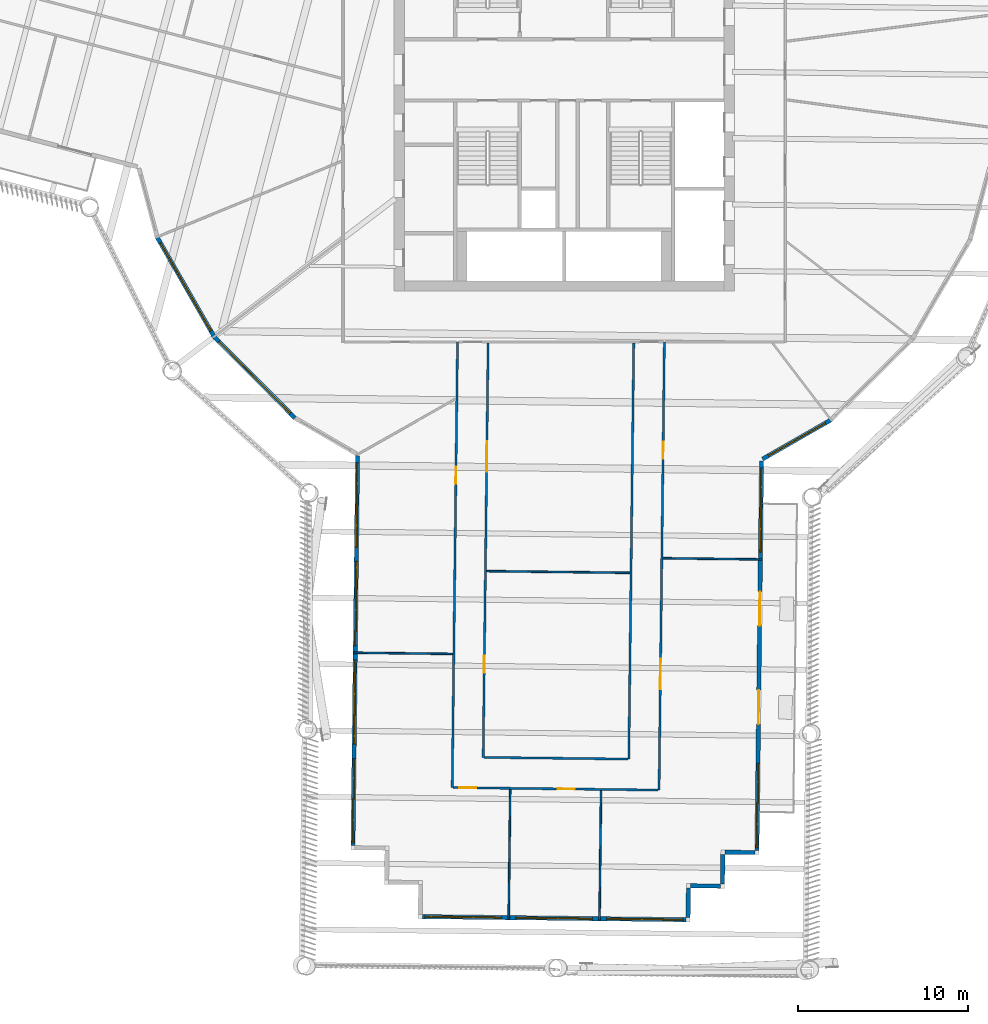
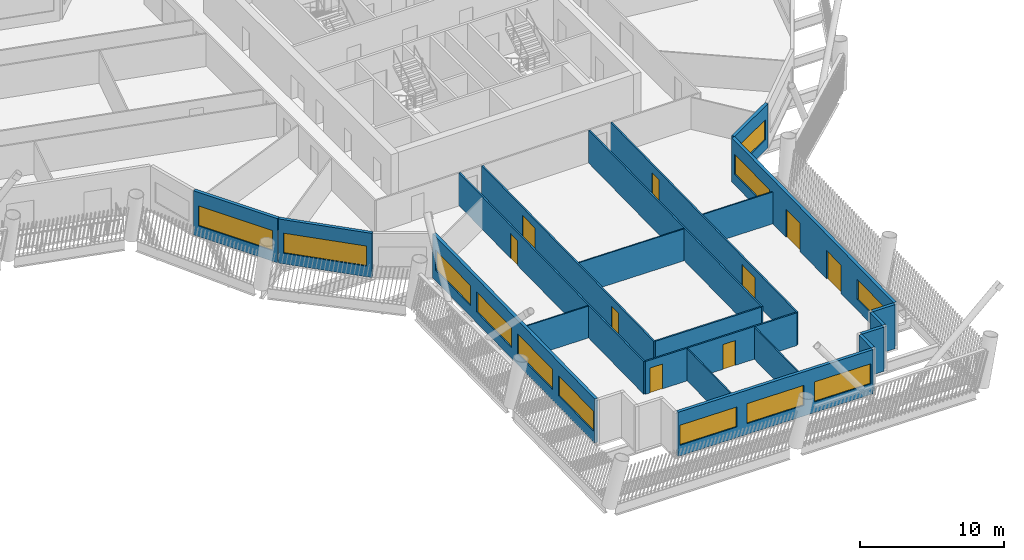
# One storey, part 3 of 21: 21 walls, 12 windows, 9 doors, 21 openings.
"""IFC4 building model written with IfcOpenShell, lengths in metres."""

from ifc_helpers import new_model, si_unit, direction, frame, frame_2d, origin, place, context, subcontext, project, spatial, rectangle, extrude, material, layer, layer_set, type_object, element, fill, save


model = new_model("IFC4")

# Units and contexts
model_context = context("Model", 3, precision=1e-05, world=origin(), true_north=direction((0.0, 1.0)))
body_context = subcontext(model_context, "Body", "Model", "MODEL_VIEW")
ifc_project = project(units=[si_unit("LENGTHUNIT", "METRE"), si_unit("AREAUNIT", "SQUARE_METRE"), si_unit("VOLUMEUNIT", "CUBIC_METRE"), si_unit("PLANEANGLEUNIT", "RADIAN"), si_unit("MASSUNIT", "GRAM", prefix="KILO")], contexts=[model_context])

# Site, building, storey
site_placement = place(None, origin())
site = spatial("IfcSite", under=ifc_project, at=site_placement, CompositionType="ELEMENT")
building_placement = place(site_placement, origin())
building = spatial("IfcBuilding", under=site, at=building_placement, Name="Tarsis Ring Headquarters", CompositionType="ELEMENT")
storey_placement = place(building_placement, frame((0.0, 0.0, 223.800048828125)))
storey = spatial("IfcBuildingStorey", under=building, at=storey_placement, Name="L52", CompositionType="ELEMENT", Elevation=223.800048828125)

# Walls
ifc_material_1 = material(Name="Gypsum board on steel studs", Category="steel")
ifc_layer_1 = layer(ifc_material_1, 0.10009765625)
ifc_layer_set_1 = layer_set([ifc_layer_1], Name="FL partition 100 unrated")
wall_type_1 = type_object("IfcWallType", Name="FL partition 100 unrated", PredefinedType="PARTITIONING", material=ifc_layer_set_1)
wall_1_placement = place(storey_placement, frame((-4.56005859375, -29.468017578125, 0.0), z_axis=(0.0, 0.0, 1.0), x_axis=(0.99992967898, -0.011859051172, 0.0)))
element("IfcWall", 1, at=wall_1_placement, inside=storey, type_object=wall_type_1, Name="Partition PW3", PredefinedType="PARTITIONING", context=body_context, shape_type="SweptSolid", body=[
    extrude(rectangle(XDim=8.419921875, YDim=0.10009765625, at=frame_2d((4.2099609375, 0.0))), origin(), (0.0, 0.0, 1.0), 2.699951171875),
])
wall_2_placement = place(storey_placement, frame((2.076904296875, -49.978271484375, 0.0), z_axis=(0.0, 0.0, 1.0), x_axis=(0.011869932736, 0.999929549867, 0.0)))
element("IfcWall", 2, at=wall_2_placement, inside=storey, type_object=wall_type_1, Name="Partition PW3", PredefinedType="PARTITIONING", context=body_context, shape_type="SweptSolid", body=[
    extrude(rectangle(XDim=7.610107421875, YDim=0.10009765625, at=frame_2d((3.80517578125, 0.0))), origin(), (0.0, 0.0, 1.0), 2.699951171875),
])
wall_3_placement = place(storey_placement, frame((-3.2626953125, -49.914794921875, 0.0), z_axis=(0.0, 0.0, 1.0), x_axis=(0.01187031352, 0.999929545347, 0.0)))
element("IfcWall", 3, at=wall_3_placement, inside=storey, type_object=wall_type_1, Name="Partition PW3", PredefinedType="PARTITIONING", context=body_context, shape_type="SweptSolid", body=[
    extrude(rectangle(XDim=7.60986328125, YDim=0.10009765625, at=frame_2d((3.804931640625, 0.0))), origin(), (0.0, 0.0, 1.0), 2.699951171875),
])
for number, where, z_axis, x_axis, name in (
    (4, (5.809814453125, -28.7109375, 0.0), (0.0, 0.0, 1.0), (0.99992954493, -0.011870348629, 0.0), "Partition PW3"),
    (5, (-12.357421875, -34.265869140625, 0.0), (0.0, 0.0, 1.0), (0.99992954493, -0.011870348629, 0.0), "Partition PW3"),
):
    element("IfcWall", number, at=place(storey_placement, frame(where, z_axis=z_axis, x_axis=x_axis)), inside=storey, type_object=wall_type_1, Name=name, PredefinedType="PARTITIONING", context=body_context, shape_type="SweptSolid", body=[
        extrude(rectangle(XDim=5.800048828125, YDim=0.10009765625, at=frame_2d((2.89990234375, 0.0))), origin(), (0.0, 0.0, 1.0), 2.699951171875),
    ])

# Wall, openings, doors
ifc_layer_2 = layer(ifc_material_1, 0.125)
ifc_layer_set_2 = layer_set([ifc_layer_2], Name="FL partition 125 EI 60 H2770")
wall_type_2 = type_object("IfcWallType", Name="FL partition 125 EI 60 H2770", PredefinedType="PARTITIONING", material=ifc_layer_set_2)
wall_4_placement = place(storey_placement, frame((5.577880859375, -42.339111328125, 0.0), z_axis=(0.0, 0.0, 1.0), x_axis=(0.011863650362, 0.999929624424, 0.0)))
wall_4 = element("IfcWall", 6, at=wall_4_placement, inside=storey, type_object=wall_type_2, Name="Partition PW1", PredefinedType="PARTITIONING", context=body_context, shape_type="SweptSolid", body=[
    extrude(rectangle(XDim=26.341064453125, YDim=0.125, at=frame_2d((13.17041015625, 0.0))), origin(), (0.0, 0.0, 1.0), 2.77001953125),
])
opening_1_placement = place(wall_4_placement, frame((19.4873046875, 0.0, 0.0)))
opening_1 = element("IfcOpeningElement", 7, at=opening_1_placement, cuts=wall_4, Name="Opening D52.11", PredefinedType="OPENING", context=body_context, shape_type="SweptSolid", body=[
    extrude(rectangle(XDim=1.0, YDim=2.10009765625, at=frame_2d((0.5, 1.050048828125))), frame((0.0, 0.072509765625, 0.0), z_axis=(0.0, -1.0, 0.0), x_axis=(1.0, 0.0, 0.0)), (0.0, 0.0, 1.0), 0.14501953125),
])
opening_2_placement = place(wall_4_placement, frame((5.916748046875, 0.0, 0.0)))
opening_2 = element("IfcOpeningElement", 8, at=opening_2_placement, cuts=wall_4, Name="Opening D52.12", PredefinedType="OPENING", context=body_context, shape_type="SweptSolid", body=[
    extrude(rectangle(XDim=1.800048828125, YDim=2.10009765625, at=frame_2d((0.89990234375, 1.050048828125))), frame((0.0, 0.072509765625, 0.0), z_axis=(0.0, -1.0, 0.0), x_axis=(1.0, 0.0, 0.0)), (0.0, 0.0, 1.0), 0.14501953125),
])
ifc_material_2 = material(Name="Fire-rated timber door leaf in steel frame", Category="steel")
door_type_1 = type_object("IfcDoorType", Name="FL door FD60-1000", OperationType="NOTDEFINED", PredefinedType="DOOR", material=ifc_material_2)
door_1_placement = place(opening_1_placement, origin())
door_1 = element("IfcDoor", 9, at=door_1_placement, inside=storey, type_object=door_type_1, Name="Door D52.11", OperationType="SINGLE_SWING_LEFT", OverallHeight=2.10009765625, OverallWidth=1.0, PredefinedType="DOOR", context=body_context, shape_type="SweptSolid", body=[
    extrude(rectangle(XDim=1.0, YDim=2.10009765625, at=frame_2d((0.5, 1.050048828125))), frame((0.0, 0.02490234375, 0.0), z_axis=(0.0, -1.0, 0.0), x_axis=(1.0, 0.0, 0.0)), (0.0, 0.0, 1.0), 0.050048828125),
])
fill(opening_1, door_1)
door_type_2 = type_object("IfcDoorType", Name="FL door FD60-1800", OperationType="DOUBLE_DOOR_SINGLE_SWING", PredefinedType="DOOR", material=ifc_material_2)
door_2_placement = place(opening_2_placement, origin())
door_2 = element("IfcDoor", 10, at=door_2_placement, inside=storey, type_object=door_type_2, Name="Door D52.12", OperationType="DOUBLE_DOOR_SINGLE_SWING", OverallHeight=2.10009765625, OverallWidth=1.800048828125, PredefinedType="DOOR", context=body_context, shape_type="SweptSolid", body=[
    extrude(rectangle(XDim=1.800048828125, YDim=2.10009765625, at=frame_2d((0.89990234375, 1.050048828125))), frame((0.0, 0.02490234375, 0.0), z_axis=(0.0, -1.0, 0.0), x_axis=(1.0, 0.0, 0.0)), (0.0, 0.0, 1.0), 0.050048828125),
])
fill(opening_2, door_2)

# Wall, opening, door
wall_5_placement = place(storey_placement, frame((-6.581298828125, -42.19482421875, 0.0), z_axis=(0.0, 0.0, 1.0), x_axis=(0.011873079566, 0.999929512507, 0.0)))
wall_5 = element("IfcWall", 11, at=wall_5_placement, inside=storey, type_object=wall_type_2, Name="Partition PW1", PredefinedType="PARTITIONING", context=body_context, shape_type="SweptSolid", body=[
    extrude(rectangle(XDim=26.19677734375, YDim=0.125, at=frame_2d((13.098388671875, 0.0))), origin(), (0.0, 0.0, 1.0), 2.77001953125),
])
opening_3_placement = place(wall_5_placement, frame((17.8544921875, 0.0, 0.0)))
opening_3 = element("IfcOpeningElement", 12, at=opening_3_placement, cuts=wall_5, Name="Opening D52.15", PredefinedType="OPENING", context=body_context, shape_type="SweptSolid", body=[
    extrude(rectangle(XDim=1.0, YDim=2.10009765625, at=frame_2d((0.5, 1.050048828125))), frame((0.0, 0.072509765625, 0.0), z_axis=(0.0, -1.0, 0.0), x_axis=(1.0, 0.0, 0.0)), (0.0, 0.0, 1.0), 0.14501953125),
])
door_3_placement = place(opening_3_placement, origin())
door_3 = element("IfcDoor", 13, at=door_3_placement, inside=storey, type_object=door_type_1, Name="Door D52.15", OperationType="SINGLE_SWING_LEFT", OverallHeight=2.10009765625, OverallWidth=1.0, PredefinedType="DOOR", context=body_context, shape_type="SweptSolid", body=[
    extrude(rectangle(XDim=1.0, YDim=2.10009765625, at=frame_2d((0.5, 1.050048828125))), frame((0.0, 0.02490234375, 0.0), z_axis=(0.0, -1.0, 0.0), x_axis=(1.0, 0.0, 0.0)), (0.0, 0.0, 1.0), 0.050048828125),
])
fill(opening_3, door_3)

# Wall
wall_6_placement = place(storey_placement, frame((3.79931640625, -40.517822265625, 0.0), z_axis=(0.0, 0.0, 1.0), x_axis=(0.011872777513, 0.999929516093, 0.0)))
element("IfcWall", 14, at=wall_6_placement, inside=storey, type_object=wall_type_2, Name="Partition PW1", PredefinedType="PARTITIONING", context=body_context, shape_type="SweptSolid", body=[
    extrude(rectangle(XDim=24.449462890625, YDim=0.125, at=frame_2d((12.224609375, 0.0))), origin(), (0.0, 0.0, 1.0), 2.77001953125),
])

# Wall, openings, doors
wall_7_placement = place(storey_placement, frame((-4.760009765625, -40.41650390625, 0.0), z_axis=(0.0, 0.0, 1.0), x_axis=(0.011872051154, 0.999929524717, 0.0)))
wall_7 = element("IfcWall", 15, at=wall_7_placement, inside=storey, type_object=wall_type_2, Name="Partition PW1", PredefinedType="PARTITIONING", context=body_context, shape_type="SweptSolid", body=[
    extrude(rectangle(XDim=24.34814453125, YDim=0.125, at=frame_2d((12.174072265625, 0.0))), origin(), (0.0, 0.0, 1.0), 2.77001953125),
])
opening_4_placement = place(wall_7_placement, frame((16.78515625, 0.0, 0.0)))
opening_4 = element("IfcOpeningElement", 16, at=opening_4_placement, cuts=wall_7, Name="Opening D52.21", PredefinedType="OPENING", context=body_context, shape_type="SweptSolid", body=[
    extrude(rectangle(XDim=1.800048828125, YDim=2.10009765625, at=frame_2d((0.89990234375, 1.050048828125))), frame((0.0, 0.072509765625, 0.0), z_axis=(0.0, -1.0, 0.0), x_axis=(1.0, 0.0, 0.0)), (0.0, 0.0, 1.0), 0.14501953125),
])
opening_5_placement = place(wall_7_placement, frame((4.97607421875, 0.0, 0.0)))
opening_5 = element("IfcOpeningElement", 17, at=opening_5_placement, cuts=wall_7, Name="Opening D52.22", PredefinedType="OPENING", context=body_context, shape_type="SweptSolid", body=[
    extrude(rectangle(XDim=1.0, YDim=2.10009765625, at=frame_2d((0.5, 1.050048828125))), frame((0.0, 0.072509765625, 0.0), z_axis=(0.0, -1.0, 0.0), x_axis=(1.0, 0.0, 0.0)), (0.0, 0.0, 1.0), 0.14501953125),
])
door_4_placement = place(opening_5_placement, origin())
door_4 = element("IfcDoor", 18, at=door_4_placement, inside=storey, type_object=door_type_1, Name="Door D52.22", OperationType="SINGLE_SWING_RIGHT", OverallHeight=2.10009765625, OverallWidth=1.0, PredefinedType="DOOR", context=body_context, shape_type="SweptSolid", body=[
    extrude(rectangle(XDim=1.0, YDim=2.10009765625, at=frame_2d((0.5, 1.050048828125))), frame((0.0, 0.02490234375, 0.0), z_axis=(0.0, -1.0, 0.0), x_axis=(1.0, 0.0, 0.0)), (0.0, 0.0, 1.0), 0.050048828125),
])
fill(opening_5, door_4)
door_5_placement = place(opening_4_placement, origin())
door_5 = element("IfcDoor", 19, at=door_5_placement, inside=storey, type_object=door_type_2, Name="Door D52.21", OperationType="DOUBLE_DOOR_SINGLE_SWING", OverallHeight=2.10009765625, OverallWidth=1.800048828125, PredefinedType="DOOR", context=body_context, shape_type="SweptSolid", body=[
    extrude(rectangle(XDim=1.800048828125, YDim=2.10009765625, at=frame_2d((0.89990234375, 1.050048828125))), frame((0.0, 0.02490234375, 0.0), z_axis=(0.0, -1.0, 0.0), x_axis=(1.0, 0.0, 0.0)), (0.0, 0.0, 1.0), 0.050048828125),
])
fill(opening_4, door_5)

wall_8_placement = place(storey_placement, frame((-6.521240234375, -42.195556640625, 0.0), z_axis=(0.0, 0.0, 1.0), x_axis=(0.999929639217, -0.01186240345, 0.0)))
wall_8 = element("IfcWall", 20, at=wall_8_placement, inside=storey, type_object=wall_type_2, Name="Partition PW1", PredefinedType="PARTITIONING", context=body_context, shape_type="SweptSolid", body=[
    extrude(rectangle(XDim=12.039794921875, YDim=0.125, at=frame_2d((6.02001953125, 0.0))), origin(), (0.0, 0.0, 1.0), 2.77001953125),
])
opening_6_placement = place(wall_8_placement, frame((6.142578125, 0.0, 0.0)))
opening_6 = element("IfcOpeningElement", 21, at=opening_6_placement, cuts=wall_8, Name="Opening D52.13", PredefinedType="OPENING", context=body_context, shape_type="SweptSolid", body=[
    extrude(rectangle(XDim=1.0, YDim=2.10009765625, at=frame_2d((0.5, 1.050048828125))), frame((0.0, 0.072509765625, 0.0), z_axis=(0.0, -1.0, 0.0), x_axis=(1.0, 0.0, 0.0)), (0.0, 0.0, 1.0), 0.14501953125),
])
opening_7_placement = place(wall_8_placement, frame((0.340087890625, 0.0, 0.0)))
opening_7 = element("IfcOpeningElement", 22, at=opening_7_placement, cuts=wall_8, Name="Opening D52.14", PredefinedType="OPENING", context=body_context, shape_type="SweptSolid", body=[
    extrude(rectangle(XDim=1.0, YDim=2.10009765625, at=frame_2d((0.5, 1.050048828125))), frame((0.0, 0.072509765625, 0.0), z_axis=(0.0, -1.0, 0.0), x_axis=(1.0, 0.0, 0.0)), (0.0, 0.0, 1.0), 0.14501953125),
])
door_6_placement = place(opening_6_placement, origin())
door_6 = element("IfcDoor", 23, at=door_6_placement, inside=storey, type_object=door_type_1, Name="Door D52.13", OperationType="SINGLE_SWING_LEFT", OverallHeight=2.10009765625, OverallWidth=1.0, PredefinedType="DOOR", context=body_context, shape_type="SweptSolid", body=[
    extrude(rectangle(XDim=1.0, YDim=2.10009765625, at=frame_2d((0.5, 1.050048828125))), frame((0.0, 0.02490234375, 0.0), z_axis=(0.0, -1.0, 0.0), x_axis=(1.0, 0.0, 0.0)), (0.0, 0.0, 1.0), 0.050048828125),
])
fill(opening_6, door_6)
door_7_placement = place(opening_7_placement, origin())
door_7 = element("IfcDoor", 24, at=door_7_placement, inside=storey, type_object=door_type_1, Name="Door D52.14", OperationType="SINGLE_SWING_RIGHT", OverallHeight=2.10009765625, OverallWidth=1.0, PredefinedType="DOOR", context=body_context, shape_type="SweptSolid", body=[
    extrude(rectangle(XDim=1.0, YDim=2.10009765625, at=frame_2d((0.5, 1.050048828125))), frame((0.0, 0.02490234375, 0.0), z_axis=(0.0, -1.0, 0.0), x_axis=(1.0, 0.0, 0.0)), (0.0, 0.0, 1.0), 0.050048828125),
])
fill(opening_7, door_7)

# Wall
wall_9_placement = place(storey_placement, frame((-4.699951171875, -40.4169921875, 0.0), z_axis=(0.0, 0.0, 1.0), x_axis=(0.999929669551, -0.011859846231, 0.0)))
element("IfcWall", 25, at=wall_9_placement, inside=storey, type_object=wall_type_2, Name="Partition PW1", PredefinedType="PARTITIONING", context=body_context, shape_type="SweptSolid", body=[
    extrude(rectangle(XDim=8.43994140625, YDim=0.125, at=frame_2d((4.219970703125, 0.0))), origin(), (0.0, 0.0, 1.0), 2.77001953125),
])

# Wall, opening, window
ifc_material_3 = material(Name="Terracotta clad insulated panel wall", Category="masonry")
ifc_layer_3 = layer(ifc_material_3, 0.25)
ifc_layer_set_3 = layer_set([ifc_layer_3], Name="Facade wall terracotta panel 250")
wall_type_3 = type_object("IfcWallType", Name="Facade wall terracotta panel 250", PredefinedType="STANDARD", material=ifc_layer_set_3)
wall_10_placement = place(storey_placement, frame((-23.92724609375, -9.840576171875, 0.0), z_axis=(0.0, 0.0, 1.0), x_axis=(0.497284605144, -0.867587471951, 0.0)))
wall_10 = element("IfcWall", 26, at=wall_10_placement, inside=storey, type_object=wall_type_3, Name="External wall L52-03", PredefinedType="STANDARD", context=body_context, shape_type="SweptSolid", body=[
    extrude(rectangle(XDim=6.7216796875, YDim=0.25, at=frame_2d((3.36083984375, 0.0))), origin(), (0.0, 0.0, 1.0), 3.739990234375),
])
opening_8_placement = place(wall_10_placement, frame((0.3857421875, 0.0, 0.89990234375)))
opening_8 = element("IfcOpeningElement", 27, at=opening_8_placement, cuts=wall_10, Name="Opening WN07", PredefinedType="OPENING", context=body_context, shape_type="SweptSolid", body=[
    extrude(rectangle(XDim=5.949951171875, YDim=1.699951171875, at=frame_2d((2.97509765625, 0.85009765625))), frame((0.0, 0.135009765625, 0.0), z_axis=(0.0, -1.0, 0.0), x_axis=(1.0, 0.0, 0.0)), (0.0, 0.0, 1.0), 0.27001953125),
])
ifc_material_4 = material(Name="Aluminium framed double glazing", Category="aluminium")
window_type_1 = type_object("IfcWindowType", Name="Facade window 5950 x 1700", PartitioningType="SINGLE_PANEL", PredefinedType="WINDOW", material=ifc_material_4)
window_1_placement = place(opening_8_placement, origin())
window_1 = element("IfcWindow", 28, at=window_1_placement, inside=storey, type_object=window_type_1, Name="Window L52-03.1", OverallHeight=1.699951171875, OverallWidth=5.949951171875, PartitioningType="SINGLE_PANEL", PredefinedType="WINDOW", context=body_context, shape_type="SweptSolid", body=[
    extrude(rectangle(XDim=5.949951171875, YDim=1.699951171875, at=frame_2d((2.97509765625, 0.85009765625))), frame((0.0, 0.030029296875, 0.0), z_axis=(0.0, -1.0, 0.0), x_axis=(1.0, 0.0, 0.0)), (0.0, 0.0, 1.0), 0.06005859375),
])
fill(opening_8, window_1)

wall_11_placement = place(storey_placement, frame((-20.56494140625, -15.6982421875, 0.0), z_axis=(0.0, 0.0, 1.0), x_axis=(0.704887595847, -0.709319023586, 0.0)))
wall_11 = element("IfcWall", 29, at=wall_11_placement, inside=storey, type_object=wall_type_3, Name="External wall L52-04", PredefinedType="STANDARD", context=body_context, shape_type="SweptSolid", body=[
    extrude(rectangle(XDim=6.721435546875, YDim=0.25, at=frame_2d((3.36083984375, 0.0))), origin(), (0.0, 0.0, 1.0), 3.739990234375),
])
opening_9_placement = place(wall_11_placement, frame((0.3857421875, 0.0, 0.89990234375)))
opening_9 = element("IfcOpeningElement", 30, at=opening_9_placement, cuts=wall_11, Name="Opening WN07", PredefinedType="OPENING", context=body_context, shape_type="SweptSolid", body=[
    extrude(rectangle(XDim=5.949951171875, YDim=1.699951171875, at=frame_2d((2.97509765625, 0.85009765625))), frame((0.0, 0.135009765625, 0.0), z_axis=(0.0, -1.0, 0.0), x_axis=(1.0, 0.0, 0.0)), (0.0, 0.0, 1.0), 0.27001953125),
])
window_2_placement = place(opening_9_placement, origin())
window_2 = element("IfcWindow", 31, at=window_2_placement, inside=storey, type_object=window_type_1, Name="Window L52-04.1", OverallHeight=1.699951171875, OverallWidth=5.949951171875, PartitioningType="SINGLE_PANEL", PredefinedType="WINDOW", context=body_context, shape_type="SweptSolid", body=[
    extrude(rectangle(XDim=5.949951171875, YDim=1.699951171875, at=frame_2d((2.97509765625, 0.85009765625))), frame((0.0, 0.030029296875, 0.0), z_axis=(0.0, -1.0, 0.0), x_axis=(1.0, 0.0, 0.0)), (0.0, 0.0, 1.0), 0.06005859375),
])
fill(opening_9, window_2)

# Wall, openings, windows
wall_12_placement = place(storey_placement, frame((-12.14501953125, -22.685546875, 0.0), z_axis=(0.0, 0.0, 1.0), x_axis=(-0.011875773532, -0.999929480515, 0.0)))
wall_12 = element("IfcWall", 32, at=wall_12_placement, inside=storey, type_object=wall_type_3, Name="External wall L52-06", PredefinedType="STANDARD", context=body_context, shape_type="SweptSolid", body=[
    extrude(rectangle(XDim=22.922119140625, YDim=0.25, at=frame_2d((11.4609375, 0.0))), origin(), (0.0, 0.0, 1.0), 3.739990234375),
])
opening_10_placement = place(wall_12_placement, frame((0.42138671875, 0.0, 0.89990234375)))
opening_10 = element("IfcOpeningElement", 33, at=opening_10_placement, cuts=wall_12, Name="Opening WN05", PredefinedType="OPENING", context=body_context, shape_type="SweptSolid", body=[
    extrude(rectangle(XDim=4.949951171875, YDim=1.699951171875, at=frame_2d((2.47509765625, 0.85009765625))), frame((0.0, 0.135009765625, 0.0), z_axis=(0.0, -1.0, 0.0), x_axis=(1.0, 0.0, 0.0)), (0.0, 0.0, 1.0), 0.27001953125),
])
opening_11_placement = place(wall_12_placement, frame((6.214599609375, 0.0, 0.89990234375)))
opening_11 = element("IfcOpeningElement", 34, at=opening_11_placement, cuts=wall_12, Name="Opening WN05", PredefinedType="OPENING", context=body_context, shape_type="SweptSolid", body=[
    extrude(rectangle(XDim=4.949951171875, YDim=1.699951171875, at=frame_2d((2.47509765625, 0.85009765625))), frame((0.0, 0.135009765625, 0.0), z_axis=(0.0, -1.0, 0.0), x_axis=(1.0, 0.0, 0.0)), (0.0, 0.0, 1.0), 0.27001953125),
])
opening_12_placement = place(wall_12_placement, frame((12.007568359375, 0.0, 0.89990234375)))
opening_12 = element("IfcOpeningElement", 35, at=opening_12_placement, cuts=wall_12, Name="Opening WN05", PredefinedType="OPENING", context=body_context, shape_type="SweptSolid", body=[
    extrude(rectangle(XDim=4.949951171875, YDim=1.699951171875, at=frame_2d((2.47509765625, 0.85009765625))), frame((0.0, 0.135009765625, 0.0), z_axis=(0.0, -1.0, 0.0), x_axis=(1.0, 0.0, 0.0)), (0.0, 0.0, 1.0), 0.27001953125),
])
opening_13_placement = place(wall_12_placement, frame((17.800537109375, 0.0, 0.89990234375)))
opening_13 = element("IfcOpeningElement", 36, at=opening_13_placement, cuts=wall_12, Name="Opening WN05", PredefinedType="OPENING", context=body_context, shape_type="SweptSolid", body=[
    extrude(rectangle(XDim=4.949951171875, YDim=1.699951171875, at=frame_2d((2.47509765625, 0.85009765625))), frame((0.0, 0.135009765625, 0.0), z_axis=(0.0, -1.0, 0.0), x_axis=(1.0, 0.0, 0.0)), (0.0, 0.0, 1.0), 0.27001953125),
])
window_type_2 = type_object("IfcWindowType", Name="Facade window 4950 x 1700", PartitioningType="SINGLE_PANEL", PredefinedType="WINDOW", material=ifc_material_4)
window_3_placement = place(opening_10_placement, origin())
window_3 = element("IfcWindow", 37, at=window_3_placement, inside=storey, type_object=window_type_2, Name="Window L52-06.1", OverallHeight=1.699951171875, OverallWidth=4.949951171875, PartitioningType="SINGLE_PANEL", PredefinedType="WINDOW", context=body_context, shape_type="SweptSolid", body=[
    extrude(rectangle(XDim=4.949951171875, YDim=1.699951171875, at=frame_2d((2.47509765625, 0.85009765625))), frame((0.0, 0.030029296875, 0.0), z_axis=(0.0, -1.0, 0.0), x_axis=(1.0, 0.0, 0.0)), (0.0, 0.0, 1.0), 0.06005859375),
])
fill(opening_10, window_3)
window_4_placement = place(opening_11_placement, origin())
window_4 = element("IfcWindow", 38, at=window_4_placement, inside=storey, type_object=window_type_2, Name="Window L52-06.2", OverallHeight=1.699951171875, OverallWidth=4.949951171875, PartitioningType="SINGLE_PANEL", PredefinedType="WINDOW", context=body_context, shape_type="SweptSolid", body=[
    extrude(rectangle(XDim=4.949951171875, YDim=1.699951171875, at=frame_2d((2.47509765625, 0.85009765625))), frame((0.0, 0.030029296875, 0.0), z_axis=(0.0, -1.0, 0.0), x_axis=(1.0, 0.0, 0.0)), (0.0, 0.0, 1.0), 0.06005859375),
])
fill(opening_11, window_4)
window_5_placement = place(opening_12_placement, origin())
window_5 = element("IfcWindow", 39, at=window_5_placement, inside=storey, type_object=window_type_2, Name="Window L52-06.3", OverallHeight=1.699951171875, OverallWidth=4.949951171875, PartitioningType="SINGLE_PANEL", PredefinedType="WINDOW", context=body_context, shape_type="SweptSolid", body=[
    extrude(rectangle(XDim=4.949951171875, YDim=1.699951171875, at=frame_2d((2.47509765625, 0.85009765625))), frame((0.0, 0.030029296875, 0.0), z_axis=(0.0, -1.0, 0.0), x_axis=(1.0, 0.0, 0.0)), (0.0, 0.0, 1.0), 0.06005859375),
])
fill(opening_12, window_5)
window_6_placement = place(opening_13_placement, origin())
window_6 = element("IfcWindow", 40, at=window_6_placement, inside=storey, type_object=window_type_2, Name="Window L52-06.4", OverallHeight=1.699951171875, OverallWidth=4.949951171875, PartitioningType="SINGLE_PANEL", PredefinedType="WINDOW", context=body_context, shape_type="SweptSolid", body=[
    extrude(rectangle(XDim=4.949951171875, YDim=1.699951171875, at=frame_2d((2.47509765625, 0.85009765625))), frame((0.0, 0.030029296875, 0.0), z_axis=(0.0, -1.0, 0.0), x_axis=(1.0, 0.0, 0.0)), (0.0, 0.0, 1.0), 0.06005859375),
])
fill(opening_13, window_6)

wall_13_placement = place(storey_placement, frame((-8.34130859375, -49.779541015625, 0.0), z_axis=(0.0, 0.0, 1.0), x_axis=(0.999929660505, -0.011860608893, 0.0)))
wall_13 = element("IfcWall", 41, at=wall_13_placement, inside=storey, type_object=wall_type_3, Name="External wall L52-11", PredefinedType="STANDARD", context=body_context, shape_type="SweptSolid", body=[
    extrude(rectangle(XDim=15.499755859375, YDim=0.25, at=frame_2d((7.75, 0.0))), origin(), (0.0, 0.0, 1.0), 3.739990234375),
])
opening_14_placement = place(wall_13_placement, frame((0.166748046875, 0.0, 0.89990234375)))
opening_14 = element("IfcOpeningElement", 42, at=opening_14_placement, cuts=wall_13, Name="Opening WN04", PredefinedType="OPENING", context=body_context, shape_type="SweptSolid", body=[
    extrude(rectangle(XDim=4.5, YDim=1.699951171875, at=frame_2d((2.25, 0.85009765625))), frame((0.0, 0.135009765625, 0.0), z_axis=(0.0, -1.0, 0.0), x_axis=(1.0, 0.0, 0.0)), (0.0, 0.0, 1.0), 0.27001953125),
])
opening_15_placement = place(wall_13_placement, frame((5.5, 0.0, 0.89990234375)))
opening_15 = element("IfcOpeningElement", 43, at=opening_15_placement, cuts=wall_13, Name="Opening WN04", PredefinedType="OPENING", context=body_context, shape_type="SweptSolid", body=[
    extrude(rectangle(XDim=4.5, YDim=1.699951171875, at=frame_2d((2.25, 0.85009765625))), frame((0.0, 0.135009765625, 0.0), z_axis=(0.0, -1.0, 0.0), x_axis=(1.0, 0.0, 0.0)), (0.0, 0.0, 1.0), 0.27001953125),
])
opening_16_placement = place(wall_13_placement, frame((10.833251953125, 0.0, 0.89990234375)))
opening_16 = element("IfcOpeningElement", 44, at=opening_16_placement, cuts=wall_13, Name="Opening WN04", PredefinedType="OPENING", context=body_context, shape_type="SweptSolid", body=[
    extrude(rectangle(XDim=4.5, YDim=1.699951171875, at=frame_2d((2.25, 0.85009765625))), frame((0.0, 0.135009765625, 0.0), z_axis=(0.0, -1.0, 0.0), x_axis=(1.0, 0.0, 0.0)), (0.0, 0.0, 1.0), 0.27001953125),
])
window_type_3 = type_object("IfcWindowType", Name="Facade window 4500 x 1700", PartitioningType="SINGLE_PANEL", PredefinedType="WINDOW", material=ifc_material_4)
window_7_placement = place(opening_14_placement, origin())
window_7 = element("IfcWindow", 45, at=window_7_placement, inside=storey, type_object=window_type_3, Name="Window L52-11.1", OverallHeight=1.699951171875, OverallWidth=4.5, PartitioningType="SINGLE_PANEL", PredefinedType="WINDOW", context=body_context, shape_type="SweptSolid", body=[
    extrude(rectangle(XDim=4.5, YDim=1.699951171875, at=frame_2d((2.25, 0.85009765625))), frame((0.0, 0.030029296875, 0.0), z_axis=(0.0, -1.0, 0.0), x_axis=(1.0, 0.0, 0.0)), (0.0, 0.0, 1.0), 0.06005859375),
])
fill(opening_14, window_7)
window_8_placement = place(opening_15_placement, origin())
window_8 = element("IfcWindow", 46, at=window_8_placement, inside=storey, type_object=window_type_3, Name="Window L52-11.2", OverallHeight=1.699951171875, OverallWidth=4.5, PartitioningType="SINGLE_PANEL", PredefinedType="WINDOW", context=body_context, shape_type="SweptSolid", body=[
    extrude(rectangle(XDim=4.5, YDim=1.699951171875, at=frame_2d((2.25, 0.85009765625))), frame((0.0, 0.030029296875, 0.0), z_axis=(0.0, -1.0, 0.0), x_axis=(1.0, 0.0, 0.0)), (0.0, 0.0, 1.0), 0.06005859375),
])
fill(opening_15, window_8)
window_9_placement = place(opening_16_placement, origin())
window_9 = element("IfcWindow", 47, at=window_9_placement, inside=storey, type_object=window_type_3, Name="Window L52-11.3", OverallHeight=1.699951171875, OverallWidth=4.5, PartitioningType="SINGLE_PANEL", PredefinedType="WINDOW", context=body_context, shape_type="SweptSolid", body=[
    extrude(rectangle(XDim=4.5, YDim=1.699951171875, at=frame_2d((2.25, 0.85009765625))), frame((0.0, 0.030029296875, 0.0), z_axis=(0.0, -1.0, 0.0), x_axis=(1.0, 0.0, 0.0)), (0.0, 0.0, 1.0), 0.06005859375),
])
fill(opening_16, window_9)

# Walls
wall_14_placement = place(storey_placement, frame((7.283935546875, -49.83984375, 0.0), z_axis=(0.0, 0.0, 1.0), x_axis=(0.011859079487, 0.999929678644, 0.0)))
element("IfcWall", 48, at=wall_14_placement, inside=storey, type_object=wall_type_3, Name="External wall L52-12", PredefinedType="STANDARD", context=body_context, shape_type="SweptSolid", body=[
    extrude(rectangle(XDim=1.75, YDim=0.25, at=frame_2d((0.875, 0.0))), origin(), (0.0, 0.0, 1.0), 3.739990234375),
])
wall_15_placement = place(storey_placement, frame((7.43115234375, -47.966552734375, 0.0), z_axis=(0.0, 0.0, 1.0), x_axis=(0.999929698262, -0.011857425272, 0.0)))
element("IfcWall", 49, at=wall_15_placement, inside=storey, type_object=wall_type_3, Name="External wall L52-13", PredefinedType="STANDARD", context=body_context, shape_type="SweptSolid", body=[
    extrude(rectangle(XDim=1.750244140625, YDim=0.25, at=frame_2d((0.875, 0.0))), origin(), (0.0, 0.0, 1.0), 3.739990234375),
])
wall_16_placement = place(storey_placement, frame((9.3076171875, -47.86376953125, 0.0), z_axis=(0.0, 0.0, 1.0), x_axis=(0.011859079487, 0.999929678644, 0.0)))
element("IfcWall", 50, at=wall_16_placement, inside=storey, type_object=wall_type_3, Name="External wall L52-14", PredefinedType="STANDARD", context=body_context, shape_type="SweptSolid", body=[
    extrude(rectangle(XDim=1.75, YDim=0.25, at=frame_2d((0.875, 0.0))), origin(), (0.0, 0.0, 1.0), 3.739990234375),
])
wall_17_placement = place(storey_placement, frame((9.454833984375, -45.990478515625, 0.0), z_axis=(0.0, 0.0, 1.0), x_axis=(0.999929698262, -0.011857425272, 0.0)))
element("IfcWall", 51, at=wall_17_placement, inside=storey, type_object=wall_type_3, Name="External wall L52-15", PredefinedType="STANDARD", context=body_context, shape_type="SweptSolid", body=[
    extrude(rectangle(XDim=1.750244140625, YDim=0.25, at=frame_2d((0.875, 0.0))), origin(), (0.0, 0.0, 1.0), 3.739990234375),
])

# Wall, openings, doors, windows
wall_18_placement = place(storey_placement, frame((11.331298828125, -45.8876953125, 0.0), z_axis=(0.0, 0.0, 1.0), x_axis=(0.011865215852, 0.999929605849, 0.0)))
wall_18 = element("IfcWall", 52, at=wall_18_placement, inside=storey, type_object=wall_type_3, Name="External wall L52-16", PredefinedType="STANDARD", context=body_context, shape_type="SweptSolid", body=[
    extrude(rectangle(XDim=22.9013671875, YDim=0.25, at=frame_2d((11.45068359375, 0.0))), origin(), (0.0, 0.0, 1.0), 3.739990234375),
])
opening_17_placement = place(wall_18_placement, frame((0.1689453125, 0.0, 0.89990234375)))
opening_17 = element("IfcOpeningElement", 53, at=opening_17_placement, cuts=wall_18, Name="Opening WN05", PredefinedType="OPENING", context=body_context, shape_type="SweptSolid", body=[
    extrude(rectangle(XDim=4.949951171875, YDim=1.699951171875, at=frame_2d((2.47509765625, 0.85009765625))), frame((0.0, 0.135009765625, 0.0), z_axis=(0.0, -1.0, 0.0), x_axis=(1.0, 0.0, 0.0)), (0.0, 0.0, 1.0), 0.27001953125),
])
opening_18_placement = place(wall_18_placement, frame((7.431640625, 0.0, 0.0)))
opening_18 = element("IfcOpeningElement", 54, at=opening_18_placement, cuts=wall_18, Name="Opening L52-BD03", PredefinedType="OPENING", context=body_context, shape_type="SweptSolid", body=[
    extrude(rectangle(XDim=2.0, YDim=2.39990234375, at=frame_2d((1.0, 1.199951171875))), frame((0.0, 0.135009765625, 0.0), z_axis=(0.0, -1.0, 0.0), x_axis=(1.0, 0.0, 0.0)), (0.0, 0.0, 1.0), 0.27001953125),
])
opening_19_placement = place(wall_18_placement, frame((13.219482421875, 0.0, 0.0)))
opening_19 = element("IfcOpeningElement", 55, at=opening_19_placement, cuts=wall_18, Name="Opening L52-BD04", PredefinedType="OPENING", context=body_context, shape_type="SweptSolid", body=[
    extrude(rectangle(XDim=2.0, YDim=2.39990234375, at=frame_2d((1.0, 1.199951171875))), frame((0.0, 0.135009765625, 0.0), z_axis=(0.0, -1.0, 0.0), x_axis=(1.0, 0.0, 0.0)), (0.0, 0.0, 1.0), 0.27001953125),
])
opening_20_placement = place(wall_18_placement, frame((17.532470703125, 0.0, 0.89990234375)))
opening_20 = element("IfcOpeningElement", 56, at=opening_20_placement, cuts=wall_18, Name="Opening WN05", PredefinedType="OPENING", context=body_context, shape_type="SweptSolid", body=[
    extrude(rectangle(XDim=4.949951171875, YDim=1.699951171875, at=frame_2d((2.47509765625, 0.85009765625))), frame((0.0, 0.135009765625, 0.0), z_axis=(0.0, -1.0, 0.0), x_axis=(1.0, 0.0, 0.0)), (0.0, 0.0, 1.0), 0.27001953125),
])
door_type_3 = type_object("IfcDoorType", Name="Balcony sliding door 2000 x 2400", OperationType="SLIDING_TO_LEFT", PredefinedType="DOOR", material=ifc_material_4)
door_8_placement = place(opening_18_placement, origin())
door_8 = element("IfcDoor", 57, at=door_8_placement, inside=storey, type_object=door_type_3, Name="Door L52-BD03", OperationType="SINGLE_SWING_LEFT", OverallHeight=2.39990234375, OverallWidth=2.0, PredefinedType="DOOR", context=body_context, shape_type="SweptSolid", body=[
    extrude(rectangle(XDim=2.0, YDim=2.39990234375, at=frame_2d((1.0, 1.199951171875))), frame((0.0, 0.02490234375, 0.0), z_axis=(0.0, -1.0, 0.0), x_axis=(1.0, 0.0, 0.0)), (0.0, 0.0, 1.0), 0.050048828125),
])
fill(opening_18, door_8)
door_9_placement = place(opening_19_placement, origin())
door_9 = element("IfcDoor", 58, at=door_9_placement, inside=storey, type_object=door_type_3, Name="Door L52-BD04", OperationType="SINGLE_SWING_LEFT", OverallHeight=2.39990234375, OverallWidth=2.0, PredefinedType="DOOR", context=body_context, shape_type="SweptSolid", body=[
    extrude(rectangle(XDim=2.0, YDim=2.39990234375, at=frame_2d((1.0, 1.199951171875))), frame((0.0, 0.02490234375, 0.0), z_axis=(0.0, -1.0, 0.0), x_axis=(1.0, 0.0, 0.0)), (0.0, 0.0, 1.0), 0.050048828125),
])
fill(opening_19, door_9)
window_10_placement = place(opening_17_placement, origin())
window_10 = element("IfcWindow", 59, at=window_10_placement, inside=storey, type_object=window_type_2, Name="Window L52-16.1", OverallHeight=1.699951171875, OverallWidth=4.949951171875, PartitioningType="SINGLE_PANEL", PredefinedType="WINDOW", context=body_context, shape_type="SweptSolid", body=[
    extrude(rectangle(XDim=4.949951171875, YDim=1.699951171875, at=frame_2d((2.47509765625, 0.85009765625))), frame((0.0, 0.030029296875, 0.0), z_axis=(0.0, -1.0, 0.0), x_axis=(1.0, 0.0, 0.0)), (0.0, 0.0, 1.0), 0.06005859375),
])
fill(opening_17, window_10)
window_11_placement = place(opening_20_placement, origin())
window_11 = element("IfcWindow", 60, at=window_11_placement, inside=storey, type_object=window_type_2, Name="Window L52-16.4", OverallHeight=1.699951171875, OverallWidth=4.949951171875, PartitioningType="SINGLE_PANEL", PredefinedType="WINDOW", context=body_context, shape_type="SweptSolid", body=[
    extrude(rectangle(XDim=4.949951171875, YDim=1.699951171875, at=frame_2d((2.47509765625, 0.85009765625))), frame((0.0, 0.030029296875, 0.0), z_axis=(0.0, -1.0, 0.0), x_axis=(1.0, 0.0, 0.0)), (0.0, 0.0, 1.0), 0.06005859375),
])
fill(opening_20, window_11)

# Wall, opening, window
wall_19_placement = place(storey_placement, frame((11.665771484375, -22.881103515625, 0.0), z_axis=(0.0, 0.0, 1.0), x_axis=(0.867585174344, 0.497288613643, 0.0)))
wall_19 = element("IfcWall", 61, at=wall_19_placement, inside=storey, type_object=wall_type_3, Name="External wall L52-17", PredefinedType="STANDARD", context=body_context, shape_type="SweptSolid", body=[
    extrude(rectangle(XDim=4.617919921875, YDim=0.25, at=frame_2d((2.30908203125, 0.0))), origin(), (0.0, 0.0, 1.0), 3.739990234375),
])
opening_21_placement = place(wall_19_placement, frame((0.400390625, 0.0, 0.89990234375)))
opening_21 = element("IfcOpeningElement", 62, at=opening_21_placement, cuts=wall_19, Name="Opening WN02", PredefinedType="OPENING", context=body_context, shape_type="SweptSolid", body=[
    extrude(rectangle(XDim=3.85009765625, YDim=1.699951171875, at=frame_2d((1.925048828125, 0.85009765625))), frame((0.0, 0.135009765625, 0.0), z_axis=(0.0, -1.0, 0.0), x_axis=(1.0, 0.0, 0.0)), (0.0, 0.0, 1.0), 0.27001953125),
])
window_type_4 = type_object("IfcWindowType", Name="Facade window 3850 x 1700", PartitioningType="SINGLE_PANEL", PredefinedType="WINDOW", material=ifc_material_4)
window_12_placement = place(opening_21_placement, origin())
window_12 = element("IfcWindow", 63, at=window_12_placement, inside=storey, type_object=window_type_4, Name="Window L52-17.1", OverallHeight=1.699951171875, OverallWidth=3.85009765625, PartitioningType="SINGLE_PANEL", PredefinedType="WINDOW", context=body_context, shape_type="SweptSolid", body=[
    extrude(rectangle(XDim=3.85009765625, YDim=1.699951171875, at=frame_2d((1.925048828125, 0.85009765625))), frame((0.0, 0.030029296875, 0.0), z_axis=(0.0, -1.0, 0.0), x_axis=(1.0, 0.0, 0.0)), (0.0, 0.0, 1.0), 0.06005859375),
])
fill(opening_21, window_12)

save(model, "model.ifc")
